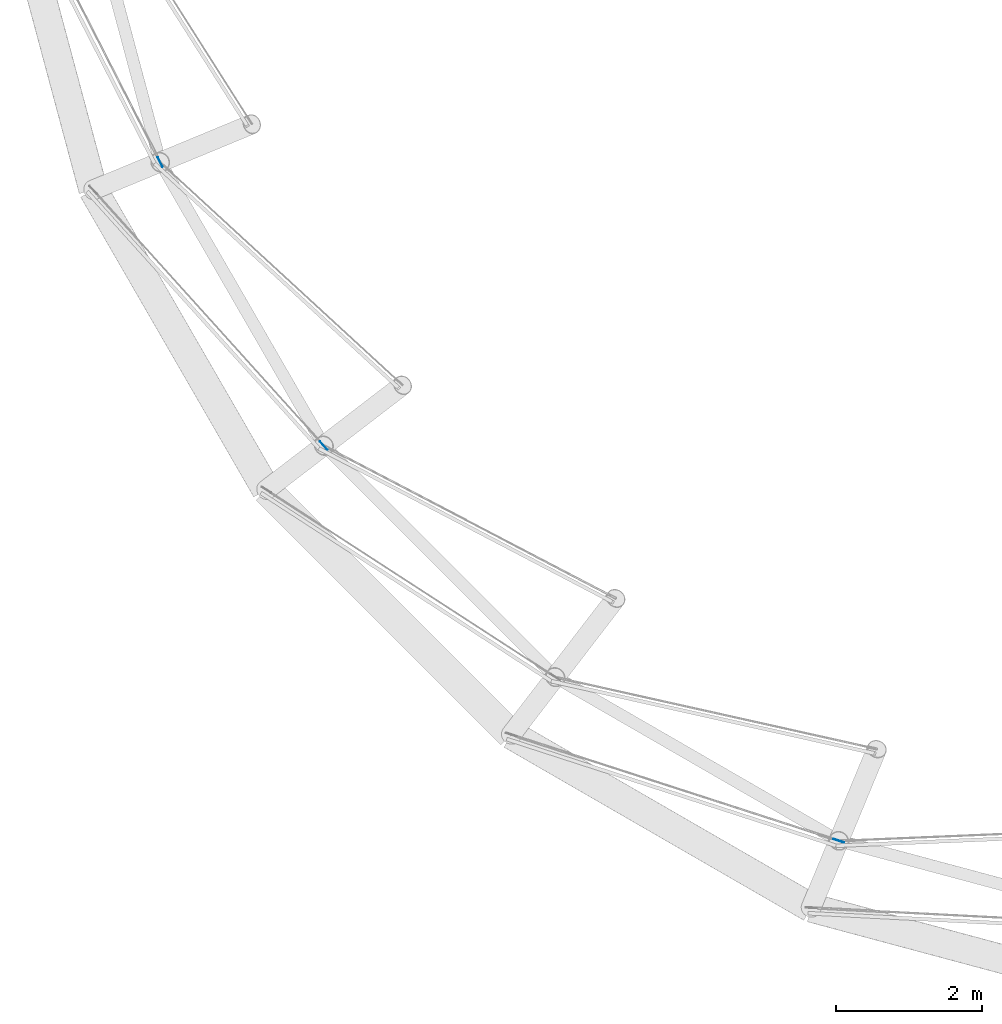
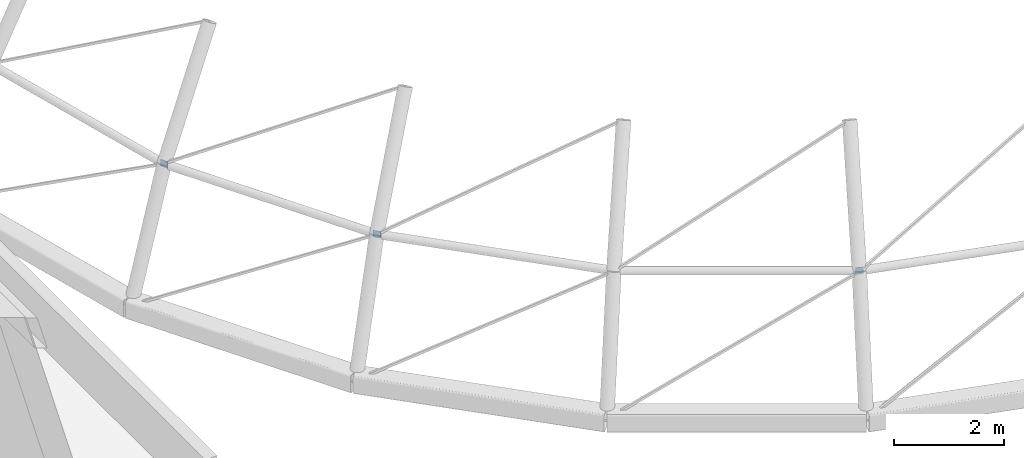
# One storey, part 33 of 59: 3 discrete accessories.
"""IFC4 building model written with IfcOpenShell, lengths in metres."""

from ifc_helpers import new_model, si_unit, direction, frame, origin, origin_2d, place, context, subcontext, project, spatial, rectangle, extrude, material, type_object, element, save


model = new_model("IFC4")

# Units and contexts
model_context = context("Model", 3, precision=1e-05, world=origin(), true_north=direction((0.0, 1.0)))
body_context = subcontext(model_context, "Body", "Model", "MODEL_VIEW")
ifc_project = project(units=[si_unit("LENGTHUNIT", "METRE"), si_unit("AREAUNIT", "SQUARE_METRE"), si_unit("VOLUMEUNIT", "CUBIC_METRE"), si_unit("PLANEANGLEUNIT", "RADIAN"), si_unit("MASSUNIT", "GRAM", prefix="KILO")], contexts=[model_context])

# Site, building, storey
site_placement = place(None, origin())
site = spatial("IfcSite", under=ifc_project, at=site_placement, CompositionType="ELEMENT")
building_placement = place(site_placement, origin())
building = spatial("IfcBuilding", under=site, at=building_placement, Name="Hortulan Conservatory and Botanical Research Centre", CompositionType="ELEMENT")
storey_placement = place(building_placement, frame((0.0, 0.0, 10.5)))
storey = spatial("IfcBuildingStorey", under=building, at=storey_placement, Name="L02", CompositionType="ELEMENT", Elevation=10.5)

# Discrete accessories
ifc_material = material(Name="Steel Grade 300 plate (AS/NZS 3678, 280 MPa minimum yield)", Category="steel")
discrete_accessory_type = type_object("IfcDiscreteAccessoryType", Name="End Plate 150x10", PredefinedType="BRACKET", material=ifc_material)
for number, where, z_axis, x_axis, name in (
    (1, (38.1435546875, 11.431884765625, 2.51904296875), (0.0, 0.0, 1.0), (0.454721243795, -0.890633813888, 0.0), "Dome rod end plate"),
    (2, (40.3837890625, 7.5517578125, 2.51904296875), (0.0, 0.0, 1.0), (0.669727025549, -0.742607373549, 0.0), "Dome rod end plate"),
    (3, (47.431884765625, 2.1435546875, 2.51904296875), (0.0, 0.0, 1.0), (0.951309684392, -0.308236734317, 0.0), "Dome rod end plate"),
):
    element("IfcDiscreteAccessory", number, at=place(storey_placement, frame(where, z_axis=z_axis, x_axis=x_axis)), inside=storey, type_object=discrete_accessory_type, Name=name, PredefinedType="BRACKET", context=body_context, shape_type="SweptSolid", body=[
        extrude(rectangle(XDim=0.14990234375, YDim=0.010009765625, at=origin_2d()), origin(), (0.0, 0.0, 1.0), 0.14990234375),
    ])

save(model, "model.ifc")
